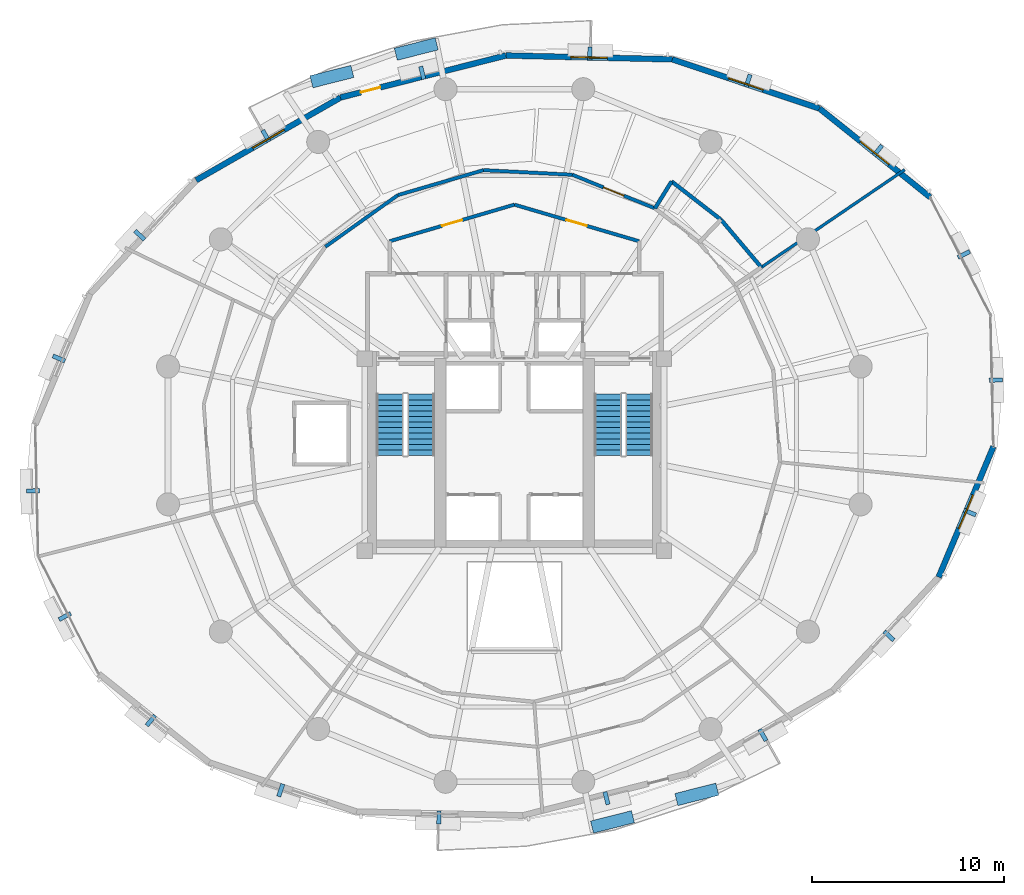
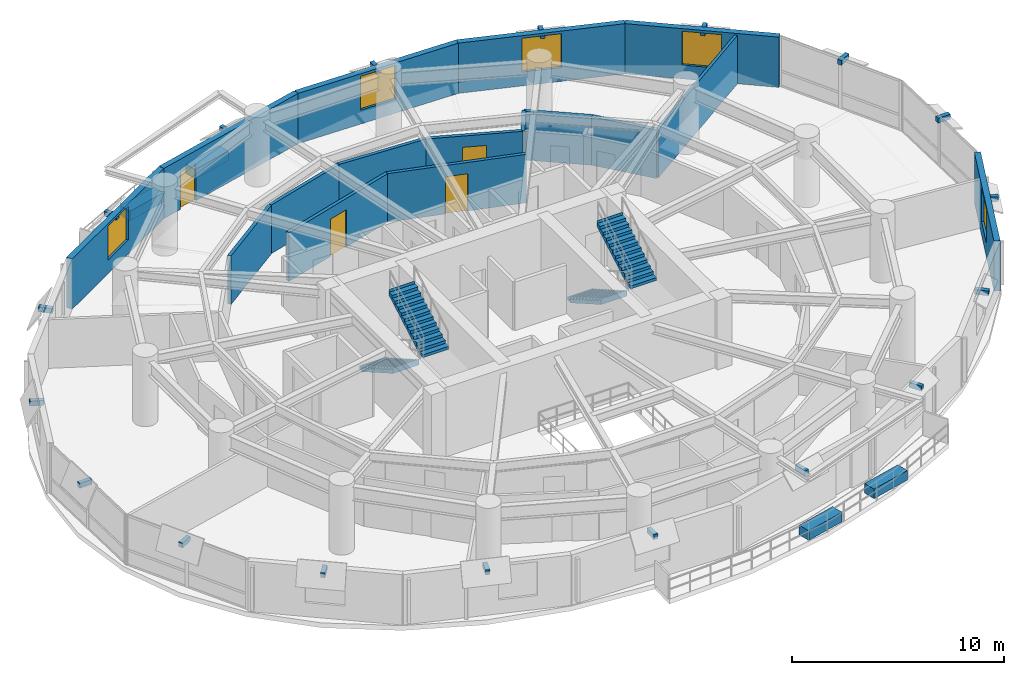
# One storey, part 12 of 15: 22 discrete accessories, 16 walls, 5 windows, 4 doors, 4 stair flights, 9 openings, 2 elements without a shape of their own.
"""IFC4 building model written with IfcOpenShell, lengths in metres."""

from ifc_helpers import new_model, si_unit, direction, frame, frame_2d, origin, origin_2d, place, context, subcontext, project, spatial, polyline, rectangle, outline, extrude, material, layer, layer_set, type_object, element, fill, aggregate, save


model = new_model("IFC4")

# Units and contexts
model_context = context("Model", 3, precision=1e-05, world=origin(), true_north=direction((0.0, 1.0)))
body_context = subcontext(model_context, "Body", "Model", "MODEL_VIEW")
ifc_project = project(units=[si_unit("LENGTHUNIT", "METRE"), si_unit("AREAUNIT", "SQUARE_METRE"), si_unit("VOLUMEUNIT", "CUBIC_METRE"), si_unit("PLANEANGLEUNIT", "RADIAN"), si_unit("MASSUNIT", "GRAM", prefix="KILO"), si_unit("THERMODYNAMICTEMPERATUREUNIT", "KELVIN"), si_unit("POWERUNIT", "WATT")], contexts=[model_context])

# Site, building, storey
site_placement = place(None, origin())
site = spatial("IfcSite", under=ifc_project, at=site_placement, CompositionType="ELEMENT")
building_placement = place(site_placement, origin())
building = spatial("IfcBuilding", under=site, at=building_placement, Name="Ocrelia Relay Tower", CompositionType="ELEMENT")
storey_placement = place(building_placement, frame((0.0, 0.0, 93.800048828125)))
storey = spatial("IfcBuildingStorey", under=building, at=storey_placement, Name="L21", CompositionType="ELEMENT", Elevation=93.800048828125)

# Wall, opening, door
ifc_material_1 = material(Name="Gypsum Fireboard Partition EI60", Category="gypsum")
ifc_layer_1 = layer(ifc_material_1, 0.179931640625, Name="Gypsum Fireboard Partition EI60")
ifc_layer_set_1 = layer_set([ifc_layer_1], Name="Gypsum Fireboard Partition EI60")
wall_type_1 = type_object("IfcWallType", Name="W-CORR-EI60-180", PredefinedType="PARTITIONING", material=ifc_layer_set_1)
wall_1_placement = place(storey_placement, frame((27.5, 36.122802734375, 0.0), z_axis=(0.0, 0.0, 1.0), x_axis=(0.959546654541, 0.281549671923, 0.0)))
wall_1 = element("IfcWall", 1, at=wall_1_placement, inside=storey, type_object=wall_type_1, Name="L21 North Smoke Lobby W Screen Wall", PredefinedType="PARTITIONING", context=body_context, shape_type="SweptSolid", body=[
    extrude(rectangle(XDim=6.77392578125, YDim=0.179931640625, at=frame_2d((3.386962890625, 0.0))), origin(), (0.0, 0.0, 1.0), 2.800048828125),
])
opening_1_placement = place(wall_1_placement, frame((2.8369140625, 0.0, 0.0)))
opening_1 = element("IfcOpeningElement", 2, at=opening_1_placement, cuts=wall_1, Name="Opening D-FD60", PredefinedType="OPENING", context=body_context, shape_type="SweptSolid", body=[
    extrude(rectangle(XDim=1.10009765625, YDim=2.14990234375, at=frame_2d((0.550048828125, 1.074951171875))), frame((0.0, 0.10009765625, 0.0), z_axis=(0.0, -1.0, 0.0), x_axis=(1.0, 0.0, 0.0)), (0.0, 0.0, 1.0), 0.199951171875),
])
ifc_material_2 = material(Name="Timber-core 60-min acoustic fire door", Category="wood")
door_type_1 = type_object("IfcDoorType", Name="DR-LOBBY-FD60-1100", OperationType="NOTDEFINED", PredefinedType="DOOR", material=ifc_material_2)
door_1_placement = place(opening_1_placement, origin())
door_1 = element("IfcDoor", 3, at=door_1_placement, inside=storey, type_object=door_type_1, Name="L21 North Smoke Lobby W Fire Door", OperationType="SINGLE_SWING_LEFT", OverallHeight=2.14990234375, OverallWidth=1.10009765625, PredefinedType="DOOR", context=body_context, shape_type="SweptSolid", body=[
    extrude(rectangle(XDim=1.10009765625, YDim=2.14990234375, at=frame_2d((0.550048828125, 1.074951171875))), frame((0.0, 0.02490234375, 0.0), z_axis=(0.0, -1.0, 0.0), x_axis=(1.0, 0.0, 0.0)), (0.0, 0.0, 1.0), 0.050048828125),
])
fill(opening_1, door_1)

wall_2_placement = place(storey_placement, frame((34.0, 38.030029296875, 0.0), z_axis=(0.0, 0.0, 1.0), x_axis=(0.959546654541, -0.281549671923, 0.0)))
wall_2 = element("IfcWall", 4, at=wall_2_placement, inside=storey, type_object=wall_type_1, Name="L21 North Smoke Lobby E Screen Wall", PredefinedType="PARTITIONING", context=body_context, shape_type="SweptSolid", body=[
    extrude(rectangle(XDim=6.77392578125, YDim=0.179931640625, at=frame_2d((3.386962890625, 0.0))), origin(), (0.0, 0.0, 1.0), 2.800048828125),
])
opening_2_placement = place(wall_2_placement, frame((2.8369140625, 0.0, 0.0)))
opening_2 = element("IfcOpeningElement", 5, at=opening_2_placement, cuts=wall_2, Name="Opening D-FD60", PredefinedType="OPENING", context=body_context, shape_type="SweptSolid", body=[
    extrude(rectangle(XDim=1.10009765625, YDim=2.14990234375, at=frame_2d((0.550048828125, 1.074951171875))), frame((0.0, 0.10009765625, 0.0), z_axis=(0.0, -1.0, 0.0), x_axis=(1.0, 0.0, 0.0)), (0.0, 0.0, 1.0), 0.199951171875),
])
door_2_placement = place(opening_2_placement, origin())
door_2 = element("IfcDoor", 6, at=door_2_placement, inside=storey, type_object=door_type_1, Name="L21 North Smoke Lobby E Fire Door", OperationType="SINGLE_SWING_RIGHT", OverallHeight=2.14990234375, OverallWidth=1.10009765625, PredefinedType="DOOR", context=body_context, shape_type="SweptSolid", body=[
    extrude(rectangle(XDim=1.10009765625, YDim=2.14990234375, at=frame_2d((0.550048828125, 1.074951171875))), frame((0.0, 0.02490234375, 0.0), z_axis=(0.0, -1.0, 0.0), x_axis=(1.0, 0.0, 0.0)), (0.0, 0.0, 1.0), 0.050048828125),
])
fill(opening_2, door_2)

wall_3_placement = place(storey_placement, frame((41.324951171875, 37.8369140625, 0.0), z_axis=(0.0, 0.0, 1.0), x_axis=(-0.92620391978, 0.377022942252, 0.0)))
wall_3 = element("IfcWall", 7, at=wall_3_placement, inside=storey, type_object=wall_type_1, Name="L21 Optical Switching Hall A Corridor Partition 1", PredefinedType="PARTITIONING", context=body_context, shape_type="SweptSolid", body=[
    extrude(rectangle(XDim=4.642822265625, YDim=0.179931640625, at=frame_2d((2.3212890625, 0.0))), origin(), (0.0, 0.0, 1.0), 2.800048828125),
])
opening_3_placement = place(wall_3_placement, frame((1.746337890625, 0.0, 0.0)))
opening_3 = element("IfcOpeningElement", 8, at=opening_3_placement, cuts=wall_3, Name="Opening D-RM115", PredefinedType="OPENING", context=body_context, shape_type="SweptSolid", body=[
    extrude(rectangle(XDim=1.14990234375, YDim=2.14990234375, at=frame_2d((0.574951171875, 1.074951171875))), frame((0.0, 0.10009765625, 0.0), z_axis=(0.0, -1.0, 0.0), x_axis=(1.0, 0.0, 0.0)), (0.0, 0.0, 1.0), 0.199951171875),
])
ifc_material_3 = material(Name="Wide acoustic oak veneer fire door", Category="wood")
door_type_2 = type_object("IfcDoorType", Name="DR-ROOM-1150", OperationType="NOTDEFINED", PredefinedType="DOOR", material=ifc_material_3)
door_3_placement = place(opening_3_placement, origin())
door_3 = element("IfcDoor", 9, at=door_3_placement, inside=storey, type_object=door_type_2, Name="L21 Optical Switching Hall A Entrance Door", OperationType="SINGLE_SWING_LEFT", OverallHeight=2.14990234375, OverallWidth=1.14990234375, PredefinedType="DOOR", context=body_context, shape_type="SweptSolid", body=[
    extrude(rectangle(XDim=1.14990234375, YDim=2.14990234375, at=frame_2d((0.574951171875, 1.074951171875))), frame((0.0, 0.02490234375, 0.0), z_axis=(0.0, -1.0, 0.0), x_axis=(1.0, 0.0, 0.0)), (0.0, 0.0, 1.0), 0.050048828125),
])
fill(opening_3, door_3)

# Walls
for number, where, z_axis, x_axis, name in (
    (10, (37.024658203125, 39.58740234375, 0.0), (0.0, 0.0, 1.0), (-0.99867404272, 0.051479669746, 0.0), "L21 Optical Switching Hall A Corridor Partition 2"),
    (11, (32.387939453125, 39.826416015625, 0.0), (0.0, 0.0, 1.0), (-0.960041804776, -0.279856629513, 0.0), "L21 Optical Switching Hall A Corridor Partition 3"),
    (12, (27.9306640625, 38.527099609375, 0.0), (0.0, 0.0, 1.0), (-0.814620752759, -0.579993990636, 0.0), "L21 Optical Switching Hall A Corridor Partition 4"),
):
    element("IfcWall", number, at=place(storey_placement, frame(where, z_axis=z_axis, x_axis=x_axis)), inside=storey, type_object=wall_type_1, Name=name, PredefinedType="PARTITIONING", context=body_context, shape_type="SweptSolid", body=[
        extrude(rectangle(XDim=4.642822265625, YDim=0.179931640625, at=frame_2d((2.3212890625, 0.0))), origin(), (0.0, 0.0, 1.0), 2.800048828125),
    ])

# Wall, opening, window
ifc_material_4 = material(Name="Precast concrete C40/50 with oxide terracotta", Category="masonry")
ifc_layer_2 = layer(ifc_material_4, 0.300048828125, Name="Precast concrete C40/50 with oxide terracotta")
ifc_layer_set_2 = layer_set([ifc_layer_2], Name="Precast concrete C40/50 with oxide terracotta")
wall_type_2 = type_object("IfcWallType", Name="W-EXT-TERR-300", PredefinedType="SOLIDWALL", material=ifc_layer_set_2)
wall_4_placement = place(storey_placement, frame((55.665771484375, 38.418701171875, 0.0), z_axis=(0.0, 0.0, 1.0), x_axis=(-0.780103663784, 0.625650280708, 0.0)))
wall_4 = element("IfcWall", 13, at=wall_4_placement, inside=storey, type_object=wall_type_2, Name="L21 Oxide Terracotta Facade Wall 02", PredefinedType="SOLIDWALL", context=body_context, shape_type="SweptSolid", body=[
    extrude(rectangle(XDim=7.38330078125, YDim=0.300048828125, at=frame_2d((3.691650390625, 0.0))), origin(), (0.0, 0.0, 1.0), 2.89990234375),
])
opening_4_placement = place(wall_4_placement, frame((2.741943359375, 0.0, 0.800048828125)))
opening_4 = element("IfcOpeningElement", 14, at=opening_4_placement, cuts=wall_4, Name="Opening W-06", PredefinedType="OPENING", context=body_context, shape_type="SweptSolid", body=[
    extrude(rectangle(XDim=1.89990234375, YDim=1.949951171875, at=frame_2d((0.949951171875, 0.97509765625))), frame((0.0, 0.16015625, 0.0), z_axis=(0.0, -1.0, 0.0), x_axis=(1.0, 0.0, 0.0)), (0.0, 0.0, 1.0), 0.320068359375),
])
ifc_material_5 = material(Name="Clear double-glazed low-E glass", Category="glass")
window_type = type_object("IfcWindowType", Name="WIN-Z2-1900x2100", PartitioningType="DOUBLE_PANEL_VERTICAL", PredefinedType="WINDOW", material=ifc_material_5)
window_1_placement = place(opening_4_placement, origin())
window_1 = element("IfcWindow", 15, at=window_1_placement, inside=storey, type_object=window_type, Name="L21 Facade Module Window 02", OverallHeight=1.949951171875, OverallWidth=1.89990234375, PartitioningType="SINGLE_PANEL", PredefinedType="WINDOW", context=body_context, shape_type="SweptSolid", body=[
    extrude(rectangle(XDim=1.89990234375, YDim=1.949951171875, at=frame_2d((0.949951171875, 0.97509765625))), frame((0.0, 0.030029296875, 0.0), z_axis=(0.0, -1.0, 0.0), x_axis=(1.0, 0.0, 0.0)), (0.0, 0.0, 1.0), 0.06005859375),
])
fill(opening_4, window_1)

wall_5_placement = place(storey_placement, frame((49.906005859375, 43.0380859375, 0.0), z_axis=(0.0, 0.0, 1.0), x_axis=(-0.948496147273, 0.316788665531, 0.0)))
wall_5 = element("IfcWall", 16, at=wall_5_placement, inside=storey, type_object=wall_type_2, Name="L21 Oxide Terracotta Facade Wall 03", PredefinedType="SOLIDWALL", context=body_context, shape_type="SweptSolid", body=[
    extrude(rectangle(XDim=8.09521484375, YDim=0.300048828125, at=frame_2d((4.047607421875, 0.0))), origin(), (0.0, 0.0, 1.0), 2.89990234375),
])
opening_5_placement = place(wall_5_placement, frame((3.097900390625, 0.0, 0.800048828125)))
opening_5 = element("IfcOpeningElement", 17, at=opening_5_placement, cuts=wall_5, Name="Opening W-06", PredefinedType="OPENING", context=body_context, shape_type="SweptSolid", body=[
    extrude(rectangle(XDim=1.89990234375, YDim=1.949951171875, at=frame_2d((0.949951171875, 0.97509765625))), frame((0.0, 0.16015625, 0.0), z_axis=(0.0, -1.0, 0.0), x_axis=(1.0, 0.0, 0.0)), (0.0, 0.0, 1.0), 0.320068359375),
])
window_2_placement = place(opening_5_placement, origin())
window_2 = element("IfcWindow", 18, at=window_2_placement, inside=storey, type_object=window_type, Name="L21 Facade Module Window 03", OverallHeight=1.949951171875, OverallWidth=1.89990234375, PartitioningType="SINGLE_PANEL", PredefinedType="WINDOW", context=body_context, shape_type="SweptSolid", body=[
    extrude(rectangle(XDim=1.89990234375, YDim=1.949951171875, at=frame_2d((0.949951171875, 0.97509765625))), frame((0.0, 0.030029296875, 0.0), z_axis=(0.0, -1.0, 0.0), x_axis=(1.0, 0.0, 0.0)), (0.0, 0.0, 1.0), 0.06005859375),
])
fill(opening_5, window_2)

wall_6_placement = place(storey_placement, frame((42.227783203125, 45.6025390625, 0.0), z_axis=(0.0, 0.0, 1.0), x_axis=(-0.999734193594, 0.023055198078, 0.0)))
wall_6 = element("IfcWall", 19, at=wall_6_placement, inside=storey, type_object=wall_type_2, Name="L21 Oxide Terracotta Facade Wall 04", PredefinedType="SOLIDWALL", context=body_context, shape_type="SweptSolid", body=[
    extrude(rectangle(XDim=8.672607421875, YDim=0.300048828125, at=frame_2d((4.33642578125, 0.0))), origin(), (0.0, 0.0, 1.0), 2.89990234375),
])
opening_6_placement = place(wall_6_placement, frame((3.385986328125, 0.0, 0.800048828125)))
opening_6 = element("IfcOpeningElement", 20, at=opening_6_placement, cuts=wall_6, Name="Opening W-06", PredefinedType="OPENING", context=body_context, shape_type="SweptSolid", body=[
    extrude(rectangle(XDim=1.89990234375, YDim=1.949951171875, at=frame_2d((0.949951171875, 0.97509765625))), frame((0.0, 0.16015625, 0.0), z_axis=(0.0, -1.0, 0.0), x_axis=(1.0, 0.0, 0.0)), (0.0, 0.0, 1.0), 0.320068359375),
])
window_3_placement = place(opening_6_placement, origin())
window_3 = element("IfcWindow", 21, at=window_3_placement, inside=storey, type_object=window_type, Name="L21 Facade Module Window 04", OverallHeight=1.949951171875, OverallWidth=1.89990234375, PartitioningType="SINGLE_PANEL", PredefinedType="WINDOW", context=body_context, shape_type="SweptSolid", body=[
    extrude(rectangle(XDim=1.89990234375, YDim=1.949951171875, at=frame_2d((0.949951171875, 0.97509765625))), frame((0.0, 0.030029296875, 0.0), z_axis=(0.0, -1.0, 0.0), x_axis=(1.0, 0.0, 0.0)), (0.0, 0.0, 1.0), 0.06005859375),
])
fill(opening_6, window_3)

# Wall, opening, door
wall_7_placement = place(storey_placement, frame((33.557373046875, 45.802490234375, 0.0), z_axis=(0.0, 0.0, 1.0), x_axis=(-0.969231185193, -0.246152208297, 0.0)))
wall_7 = element("IfcWall", 22, at=wall_7_placement, inside=storey, type_object=wall_type_2, Name="L21 Oxide Terracotta Facade Wall 05", PredefinedType="SOLIDWALL", context=body_context, shape_type="SweptSolid", body=[
    extrude(rectangle(XDim=8.890625, YDim=0.300048828125, at=frame_2d((4.4453125, 0.0))), origin(), (0.0, 0.0, 1.0), 2.89990234375),
])
opening_7_placement = place(wall_7_placement, frame((6.75, 0.0, 0.0)))
opening_7 = element("IfcOpeningElement", 23, at=opening_7_placement, cuts=wall_7, Name="Opening DB-105", PredefinedType="OPENING", context=body_context, shape_type="SweptSolid", body=[
    extrude(rectangle(XDim=1.050048828125, YDim=2.14990234375, at=frame_2d((0.52490234375, 1.074951171875))), frame((0.0, 0.16015625, 0.0), z_axis=(0.0, -1.0, 0.0), x_axis=(1.0, 0.0, 0.0)), (0.0, 0.0, 1.0), 0.320068359375),
])
ifc_material_6 = material(Name="Thermally broken aluminium and clear glass", Category="aluminium")
door_type_3 = type_object("IfcDoorType", Name="DR-BALC-1050", OperationType="NOTDEFINED", PredefinedType="DOOR", material=ifc_material_6)
door_4_placement = place(opening_7_placement, origin())
door_4 = element("IfcDoor", 24, at=door_4_placement, inside=storey, type_object=door_type_3, Name="L21 Planted Loggia Balcony Door B1", OperationType="SINGLE_SWING_LEFT", OverallHeight=2.14990234375, OverallWidth=1.050048828125, PredefinedType="DOOR", context=body_context, shape_type="SweptSolid", body=[
    extrude(rectangle(XDim=1.050048828125, YDim=2.14990234375, at=frame_2d((0.52490234375, 1.074951171875))), frame((0.0, 0.02490234375, 0.0), z_axis=(0.0, -1.0, 0.0), x_axis=(1.0, 0.0, 0.0)), (0.0, 0.0, 1.0), 0.050048828125),
])
fill(opening_7, door_4)

# Wall, opening, window
wall_8_placement = place(storey_placement, frame((24.940185546875, 43.614013671875, 0.0), z_axis=(0.0, 0.0, 1.0), x_axis=(-0.867587591435, -0.497284396687, 0.0)))
wall_8 = element("IfcWall", 25, at=wall_8_placement, inside=storey, type_object=wall_type_2, Name="L21 Oxide Terracotta Facade Wall 06", PredefinedType="SOLIDWALL", context=body_context, shape_type="SweptSolid", body=[
    extrude(rectangle(XDim=8.673095703125, YDim=0.300048828125, at=frame_2d((4.33642578125, 0.0))), origin(), (0.0, 0.0, 1.0), 2.89990234375),
])
opening_8_placement = place(wall_8_placement, frame((3.385986328125, 0.0, 0.800048828125)))
opening_8 = element("IfcOpeningElement", 26, at=opening_8_placement, cuts=wall_8, Name="Opening W-06", PredefinedType="OPENING", context=body_context, shape_type="SweptSolid", body=[
    extrude(rectangle(XDim=1.89990234375, YDim=1.949951171875, at=frame_2d((0.949951171875, 0.97509765625))), frame((0.0, 0.16015625, 0.0), z_axis=(0.0, -1.0, 0.0), x_axis=(1.0, 0.0, 0.0)), (0.0, 0.0, 1.0), 0.320068359375),
])
window_4_placement = place(opening_8_placement, origin())
window_4 = element("IfcWindow", 27, at=window_4_placement, inside=storey, type_object=window_type, Name="L21 Facade Module Window 06", OverallHeight=1.949951171875, OverallWidth=1.89990234375, PartitioningType="SINGLE_PANEL", PredefinedType="WINDOW", context=body_context, shape_type="SweptSolid", body=[
    extrude(rectangle(XDim=1.89990234375, YDim=1.949951171875, at=frame_2d((0.949951171875, 0.97509765625))), frame((0.0, 0.030029296875, 0.0), z_axis=(0.0, -1.0, 0.0), x_axis=(1.0, 0.0, 0.0)), (0.0, 0.0, 1.0), 0.06005859375),
])
fill(opening_8, window_4)

wall_9_placement = place(storey_placement, frame((56.1083984375, 18.6162109375, 0.0), z_axis=(0.0, 0.0, 1.0), x_axis=(0.387032350471, 0.922066136288, 0.0)))
wall_9 = element("IfcWall", 28, at=wall_9_placement, inside=storey, type_object=wall_type_2, Name="L21 Oxide Terracotta Facade Wall 17", PredefinedType="SOLIDWALL", context=body_context, shape_type="SweptSolid", body=[
    extrude(rectangle(XDim=7.383544921875, YDim=0.300048828125, at=frame_2d((3.69189453125, 0.0))), origin(), (0.0, 0.0, 1.0), 2.89990234375),
])
opening_9_placement = place(wall_9_placement, frame((2.741943359375, 0.0, 0.800048828125)))
opening_9 = element("IfcOpeningElement", 29, at=opening_9_placement, cuts=wall_9, Name="Opening W-06", PredefinedType="OPENING", context=body_context, shape_type="SweptSolid", body=[
    extrude(rectangle(XDim=1.89990234375, YDim=1.949951171875, at=frame_2d((0.949951171875, 0.97509765625))), frame((0.0, 0.16015625, 0.0), z_axis=(0.0, -1.0, 0.0), x_axis=(1.0, 0.0, 0.0)), (0.0, 0.0, 1.0), 0.320068359375),
])
window_5_placement = place(opening_9_placement, origin())
window_5 = element("IfcWindow", 30, at=window_5_placement, inside=storey, type_object=window_type, Name="L21 Facade Module Window 17", OverallHeight=1.949951171875, OverallWidth=1.89990234375, PartitioningType="SINGLE_PANEL", PredefinedType="WINDOW", context=body_context, shape_type="SweptSolid", body=[
    extrude(rectangle(XDim=1.89990234375, YDim=1.949951171875, at=frame_2d((0.949951171875, 0.97509765625))), frame((0.0, 0.030029296875, 0.0), z_axis=(0.0, -1.0, 0.0), x_axis=(1.0, 0.0, 0.0)), (0.0, 0.0, 1.0), 0.06005859375),
])
fill(opening_9, window_5)

# Walls
ifc_material_7 = material(Name="Acoustic Fireboard Partition EI60", Category="gypsum")
ifc_layer_3 = layer(ifc_material_7, 0.14990234375, Name="Acoustic Fireboard Partition EI60")
ifc_layer_set_3 = layer_set([ifc_layer_3], Name="Acoustic Fireboard Partition EI60")
wall_type_3 = type_object("IfcWallType", Name="W-PART-150", PredefinedType="PARTITIONING", material=ifc_layer_set_3)
wall_10_placement = place(storey_placement, frame((46.8701171875, 34.762939453125, 0.0), z_axis=(0.0, 0.0, 1.0), x_axis=(0.82658908308, 0.562805905915, 0.0)))
element("IfcWall", 31, at=wall_10_placement, inside=storey, type_object=wall_type_3, Name="L21 Optical Switching Hall A Radial Partition", PredefinedType="PARTITIONING", context=body_context, shape_type="SweptSolid", body=[
    extrude(rectangle(XDim=9.0341796875, YDim=0.14990234375, at=frame_2d((4.51708984375, 0.0))), origin(), (0.0, 0.0, 1.0), 2.800048828125),
])
ifc_material_8 = material(Name="Moisture-Resistant Fireboard Chase Wall EI60", Category="gypsum")
ifc_layer_4 = layer(ifc_material_8, 0.199951171875, Name="Moisture-Resistant Fireboard Chase Wall EI60")
ifc_layer_set_4 = layer_set([ifc_layer_4], Name="Moisture-Resistant Fireboard Chase Wall EI60")
wall_type_4 = type_object("IfcWallType", Name="W-PLUMB-200", PredefinedType="PLUMBINGWALL", material=ifc_layer_set_4)
wall_11_placement = place(storey_placement, frame((46.8701171875, 34.762939453125, 0.0), z_axis=(0.0, 0.0, 1.0), x_axis=(-0.646140586512, 0.76321841072, 0.0)))
element("IfcWall", 32, at=wall_11_placement, inside=storey, type_object=wall_type_4, Name="L21 Staff Toilet Back Plumbing Wall", PredefinedType="PLUMBINGWALL", context=body_context, shape_type="SweptSolid", body=[
    extrude(rectangle(XDim=3.255126953125, YDim=0.199951171875, at=frame_2d((1.62744140625, 0.0))), origin(), (0.0, 0.0, 1.0), 2.800048828125),
])
wall_12_placement = place(storey_placement, frame((41.324951171875, 37.8369140625, 0.0), z_axis=(0.0, 0.0, 1.0), x_axis=(0.52617631302, 0.850375498011, 0.0)))
element("IfcWall", 33, at=wall_12_placement, inside=storey, type_object=wall_type_4, Name="L21 Accessible Toilet Plumbing Radial Wall", PredefinedType="PLUMBINGWALL", context=body_context, shape_type="SweptSolid", body=[
    extrude(rectangle(XDim=1.64990234375, YDim=0.199951171875, at=frame_2d((0.824951171875, 0.0))), origin(), (0.0, 0.0, 1.0), 2.800048828125),
])
wall_13_placement = place(storey_placement, frame((44.766845703125, 37.247314453125, 0.0), z_axis=(0.0, 0.0, 1.0), x_axis=(-0.790707310566, 0.612194371926, 0.0)))
element("IfcWall", 34, at=wall_13_placement, inside=storey, type_object=wall_type_4, Name="L21 Accessible Toilet Back Plumbing Wall", PredefinedType="PLUMBINGWALL", context=body_context, shape_type="SweptSolid", body=[
    extrude(rectangle(XDim=3.2548828125, YDim=0.199951171875, at=frame_2d((1.62744140625, 0.0))), origin(), (0.0, 0.0, 1.0), 2.800048828125),
])

# Stair, stair flights
ifc_material_9 = material(Name="Concrete C50/60", Category="concrete")
stair_type = type_object("IfcStairType", Name="ST-DL-1420-R167", PredefinedType="HALF_TURN_STAIR", material=ifc_material_9)
stair_1_placement = place(storey_placement, origin())
stair_1 = element("IfcStair", 35, at=stair_1_placement, inside=storey, type_object=stair_type, Name="L21 West Core Exit Stair ST1", PredefinedType="HALF_TURN_STAIR")
stair_flight_type = type_object("IfcStairFlightType", Name="STF-DL-1420-R167", PredefinedType="STRAIGHT", material=ifc_material_9)
stair_flight_1_placement = place(storey_placement, frame((27.52001953125, 28.14990234375, 0.0), z_axis=(0.0, 0.0, 1.0), x_axis=(0.0, -1.0, 0.0)))
stair_flight_1 = element("IfcStairFlight", 36, at=stair_flight_1_placement, type_object=stair_flight_type, Name="ST1 flight 1", NumberOfRisers=12, NumberOfTreads=11, PredefinedType="STRAIGHT", RiserHeight=0.166666667, TreadLength=0.29, context=body_context, shape_type="SweptSolid", body=[
    extrude(outline(polyline([(-0.008056640625, 0.0), (-0.008056640625, 0.166748046875), (0.0, 0.166748046875), (0.2900390625, 0.166748046875), (0.2900390625, 0.333251953125), (0.580078125, 0.333251953125), (0.580078125, 0.5), (0.8701171875, 0.5), (0.8701171875, 0.666748046875), (1.159912109375, 0.666748046875), (1.159912109375, 0.833251953125), (1.449951171875, 0.833251953125), (1.449951171875, 1.0), (1.739990234375, 1.0), (1.739990234375, 1.166748046875), (2.030029296875, 1.166748046875), (2.030029296875, 1.333251953125), (2.320068359375, 1.333251953125), (2.320068359375, 1.5), (2.610107421875, 1.5), (2.610107421875, 1.666748046875), (2.89990234375, 1.666748046875), (2.89990234375, 1.833251953125), (3.18994140625, 1.833251953125), (3.18994140625, 2.0), (3.197998046875, 2.0), (3.197998046875, 1.660400390625), (0.30078125, 0.0), (-0.008056640625, 0.0)])), frame((0.0, 0.7099609375, 0.0), z_axis=(0.0, -1.0, 0.0), x_axis=(1.0, 0.0, 0.0)), (0.0, 0.0, 1.0), 1.419921875),
])
stair_flight_2_placement = place(storey_placement, frame((29.139892578125, 24.9599609375, 2.0), z_axis=(0.0, 0.0, 1.0), x_axis=(0.0, 1.0, 0.0)))
stair_flight_2 = element("IfcStairFlight", 37, at=stair_flight_2_placement, type_object=stair_flight_type, Name="ST1 flight 2", NumberOfRisers=12, NumberOfTreads=11, PredefinedType="STRAIGHT", RiserHeight=0.166666667, TreadLength=0.29, context=body_context, shape_type="SweptSolid", body=[
    extrude(outline(polyline([(-0.008056640625, 0.0), (-0.008056640625, 0.166748046875), (0.0, 0.166748046875), (0.2900390625, 0.166748046875), (0.2900390625, 0.333251953125), (0.580078125, 0.333251953125), (0.580078125, 0.5), (0.8701171875, 0.5), (0.8701171875, 0.666748046875), (1.159912109375, 0.666748046875), (1.159912109375, 0.833251953125), (1.449951171875, 0.833251953125), (1.449951171875, 1.0), (1.739990234375, 1.0), (1.739990234375, 1.166748046875), (2.030029296875, 1.166748046875), (2.030029296875, 1.333251953125), (2.320068359375, 1.333251953125), (2.320068359375, 1.5), (2.610107421875, 1.5), (2.610107421875, 1.666748046875), (2.89990234375, 1.666748046875), (2.89990234375, 1.833251953125), (3.18994140625, 1.833251953125), (3.18994140625, 2.0), (3.197998046875, 2.0), (3.197998046875, 1.660400390625), (0.30078125, 0.0), (-0.008056640625, 0.0)])), frame((0.0, 0.7099609375, 0.0), z_axis=(0.0, -1.0, 0.0), x_axis=(1.0, 0.0, 0.0)), (0.0, 0.0, 1.0), 1.419921875),
])
aggregate(stair_1, [stair_flight_1, stair_flight_2])

stair_2_placement = place(storey_placement, origin())
stair_2 = element("IfcStair", 38, at=stair_2_placement, inside=storey, type_object=stair_type, Name="L21 East Core Exit Stair ST2", PredefinedType="HALF_TURN_STAIR")
stair_flight_3_placement = place(storey_placement, frame((38.8701171875, 28.14990234375, 0.0), z_axis=(0.0, 0.0, 1.0), x_axis=(0.0, -1.0, 0.0)))
stair_flight_3 = element("IfcStairFlight", 39, at=stair_flight_3_placement, type_object=stair_flight_type, Name="ST2 flight 1", NumberOfRisers=12, NumberOfTreads=11, PredefinedType="STRAIGHT", RiserHeight=0.166666667, TreadLength=0.29, context=body_context, shape_type="SweptSolid", body=[
    extrude(outline(polyline([(-0.008056640625, 0.0), (-0.008056640625, 0.166748046875), (0.0, 0.166748046875), (0.2900390625, 0.166748046875), (0.2900390625, 0.333251953125), (0.580078125, 0.333251953125), (0.580078125, 0.5), (0.8701171875, 0.5), (0.8701171875, 0.666748046875), (1.159912109375, 0.666748046875), (1.159912109375, 0.833251953125), (1.449951171875, 0.833251953125), (1.449951171875, 1.0), (1.739990234375, 1.0), (1.739990234375, 1.166748046875), (2.030029296875, 1.166748046875), (2.030029296875, 1.333251953125), (2.320068359375, 1.333251953125), (2.320068359375, 1.5), (2.610107421875, 1.5), (2.610107421875, 1.666748046875), (2.89990234375, 1.666748046875), (2.89990234375, 1.833251953125), (3.18994140625, 1.833251953125), (3.18994140625, 2.0), (3.197998046875, 2.0), (3.197998046875, 1.660400390625), (0.30078125, 0.0), (-0.008056640625, 0.0)])), frame((0.0, 0.7099609375, 0.0), z_axis=(0.0, -1.0, 0.0), x_axis=(1.0, 0.0, 0.0)), (0.0, 0.0, 1.0), 1.419921875),
])
stair_flight_4_placement = place(storey_placement, frame((40.489990234375, 24.9599609375, 2.0), z_axis=(0.0, 0.0, 1.0), x_axis=(0.0, 1.0, 0.0)))
stair_flight_4 = element("IfcStairFlight", 40, at=stair_flight_4_placement, type_object=stair_flight_type, Name="ST2 flight 2", NumberOfRisers=12, NumberOfTreads=11, PredefinedType="STRAIGHT", RiserHeight=0.166666667, TreadLength=0.29, context=body_context, shape_type="SweptSolid", body=[
    extrude(outline(polyline([(-0.008056640625, 0.0), (-0.008056640625, 0.166748046875), (0.0, 0.166748046875), (0.2900390625, 0.166748046875), (0.2900390625, 0.333251953125), (0.580078125, 0.333251953125), (0.580078125, 0.5), (0.8701171875, 0.5), (0.8701171875, 0.666748046875), (1.159912109375, 0.666748046875), (1.159912109375, 0.833251953125), (1.449951171875, 0.833251953125), (1.449951171875, 1.0), (1.739990234375, 1.0), (1.739990234375, 1.166748046875), (2.030029296875, 1.166748046875), (2.030029296875, 1.333251953125), (2.320068359375, 1.333251953125), (2.320068359375, 1.5), (2.610107421875, 1.5), (2.610107421875, 1.666748046875), (2.89990234375, 1.666748046875), (2.89990234375, 1.833251953125), (3.18994140625, 1.833251953125), (3.18994140625, 2.0), (3.197998046875, 2.0), (3.197998046875, 1.660400390625), (0.30078125, 0.0), (-0.008056640625, 0.0)])), frame((0.0, 0.7099609375, 0.0), z_axis=(0.0, -1.0, 0.0), x_axis=(1.0, 0.0, 0.0)), (0.0, 0.0, 1.0), 1.419921875),
])
aggregate(stair_2, [stair_flight_3, stair_flight_4])

# Discrete accessories
ifc_material_10 = material(Name="Precast concrete C40/50 planter with highland greenery", Category="concrete")
discrete_accessory_type_1 = type_object("IfcDiscreteAccessoryType", Name="ACC-BALC-PLANTER", PredefinedType="USERDEFINED", material=ifc_material_10)
for number, where, z_axis, x_axis, name in (
    (41, (28.885498046875, 46.13818359375, 0.0), (0.0, 0.0, 1.0), (0.969229755921, 0.246157836026, 0.0), "L21 Balcony Terracotta Planter with Greenery B1"),
    (42, (24.491943359375, 44.702880859375, 0.0), (0.0, 0.0, 1.0), (0.969229755921, 0.246157836026, 0.0), "L21 Balcony Terracotta Planter B1-2"),
    (43, (39.114501953125, 5.86181640625, 0.0), (0.0, 0.0, 1.0), (-0.969229755921, -0.246157836026, 0.0), "L21 Balcony Terracotta Planter with Greenery B2"),
    (44, (43.508056640625, 7.297119140625, 0.0), (0.0, 0.0, 1.0), (-0.969229755921, -0.246157836026, 0.0), "L21 Balcony Terracotta Planter B2-2"),
):
    element("IfcDiscreteAccessory", number, at=place(storey_placement, frame(where, z_axis=z_axis, x_axis=x_axis)), inside=storey, type_object=discrete_accessory_type_1, Name=name, ObjectType="PLANTER", PredefinedType="USERDEFINED", context=body_context, shape_type="SweptSolid", body=[
        extrude(rectangle(XDim=2.199951171875, YDim=0.64990234375, at=origin_2d()), origin(), (0.0, 0.0, 1.0), 0.550048828125),
    ])
ifc_material_11 = material(Name="Steel S355", Category="steel")
discrete_accessory_type_2 = type_object("IfcDiscreteAccessoryType", Name="ACC-VISOR-BRACKET", PredefinedType="BRACKET", material=ifc_material_11)
for number, where, z_axis, x_axis, name in (
    (45, (57.424560546875, 35.434814453125, 2.60009765625), (0.0, 0.0, 1.0), (-0.457400894292, 0.889260604042, 0.0), "L21 Visor Mounting Bracket 01"),
    (46, (52.943359375, 40.851806640625, 2.60009765625), (0.0, 0.0, 1.0), (-0.780099177476, 0.625655874504, 0.0), "L21 Visor Mounting Bracket 02"),
    (47, (46.177001953125, 44.4873046875, 2.60009765625), (0.0, 0.0, 1.0), (-0.948497838274, 0.316783602462, 0.0), "L21 Visor Mounting Bracket 03"),
    (48, (37.931396484375, 45.898681640625, 2.60009765625), (0.0, 0.0, 1.0), (-0.999734075451, 0.023060320522, 0.0), "L21 Visor Mounting Bracket 04"),
    (49, (29.199462890625, 44.902099609375, 2.60009765625), (0.0, 0.0, 1.0), (-0.969230641448, -0.246154349298, 0.0), "L21 Visor Mounting Bracket 05"),
    (50, (21.05029296875, 41.611572265625, 2.60009765625), (0.0, 0.0, 1.0), (-0.86758249759, -0.497293283562, 0.0), "L21 Visor Mounting Bracket 06"),
    (51, (14.477294921875, 36.436767578125, 2.60009765625), (0.0, 0.0, 1.0), (-0.682397030358, -0.730981732302, 0.0), "L21 Visor Mounting Bracket 07"),
    (52, (10.265380859375, 30.01318359375, 2.60009765625), (0.0, 0.0, 1.0), (-0.387034679858, -0.922065158537, 0.0), "L21 Visor Mounting Bracket 08"),
    (53, (8.912109375, 23.1142578125, 2.60009765625), (0.0, 0.0, 1.0), (0.02235783737, -0.999750032312, 0.0), "L21 Visor Mounting Bracket 09"),
    (54, (10.575439453125, 16.565185546875, 2.60009765625), (0.0, 0.0, 1.0), (0.457400894292, -0.889260604042, 0.0), "L21 Visor Mounting Bracket 10"),
    (55, (15.056640625, 11.148193359375, 2.60009765625), (0.0, 0.0, 1.0), (0.780099177476, -0.625655874504, 0.0), "L21 Visor Mounting Bracket 11"),
    (56, (21.822998046875, 7.5126953125, 2.60009765625), (0.0, 0.0, 1.0), (0.948497838274, -0.316783602462, 0.0), "L21 Visor Mounting Bracket 12"),
    (57, (30.068603515625, 6.101318359375, 2.60009765625), (0.0, 0.0, 1.0), (0.999734075451, -0.023060320522, 0.0), "L21 Visor Mounting Bracket 13"),
    (58, (38.800537109375, 7.097900390625, 2.60009765625), (0.0, 0.0, 1.0), (0.969230641448, 0.246154349298, 0.0), "L21 Visor Mounting Bracket 14"),
    (59, (46.94970703125, 10.388427734375, 2.60009765625), (0.0, 0.0, 1.0), (0.86758249759, 0.497293283562, 0.0), "L21 Visor Mounting Bracket 15"),
    (60, (53.522705078125, 15.563232421875, 2.60009765625), (0.0, 0.0, 1.0), (0.682397030358, 0.730981732302, 0.0), "L21 Visor Mounting Bracket 16"),
    (61, (57.734619140625, 21.98681640625, 2.60009765625), (0.0, 0.0, 1.0), (0.387034679858, 0.922065158537, 0.0), "L21 Visor Mounting Bracket 17"),
    (62, (59.087890625, 28.8857421875, 2.60009765625), (0.0, 0.0, 1.0), (-0.02235783737, 0.999750032312, 0.0), "L21 Visor Mounting Bracket 18"),
):
    element("IfcDiscreteAccessory", number, at=place(storey_placement, frame(where, z_axis=z_axis, x_axis=x_axis)), inside=storey, type_object=discrete_accessory_type_2, Name=name, PredefinedType="BRACKET", context=body_context, shape_type="SweptSolid", body=[
        extrude(rectangle(XDim=0.219970703125, YDim=0.679931640625, at=origin_2d()), origin(), (0.0, 0.0, 1.0), 0.280029296875),
    ])

save(model, "model.ifc")
